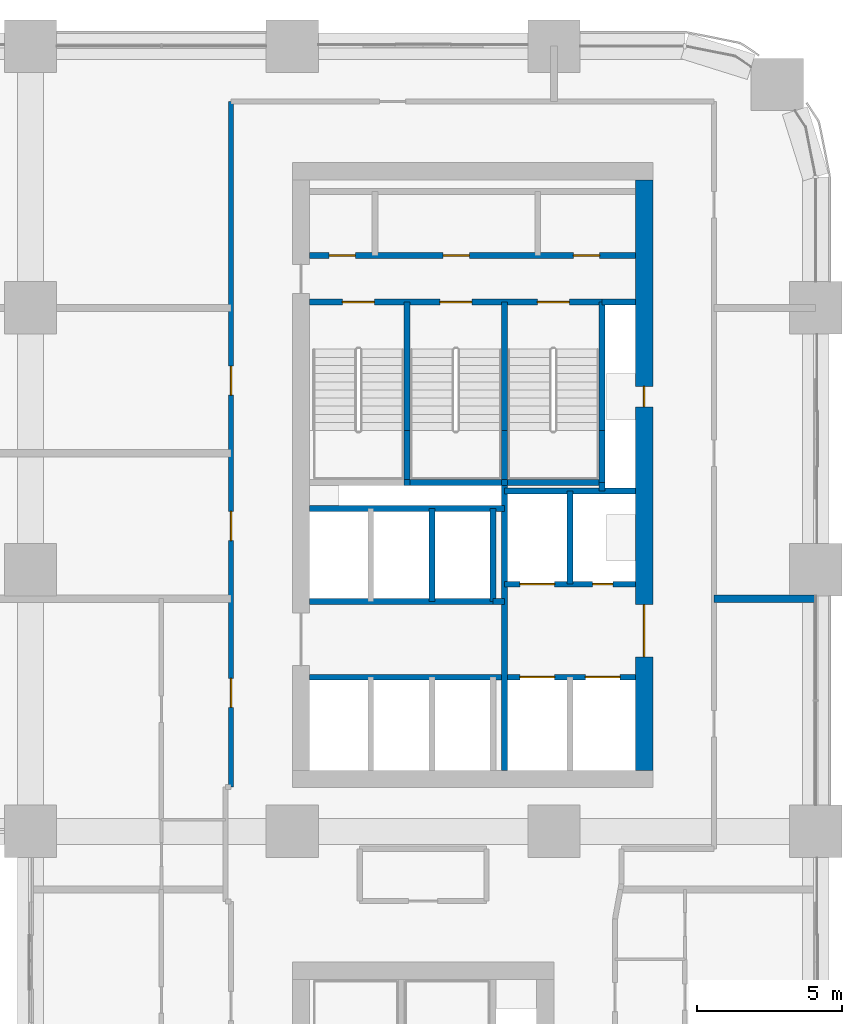
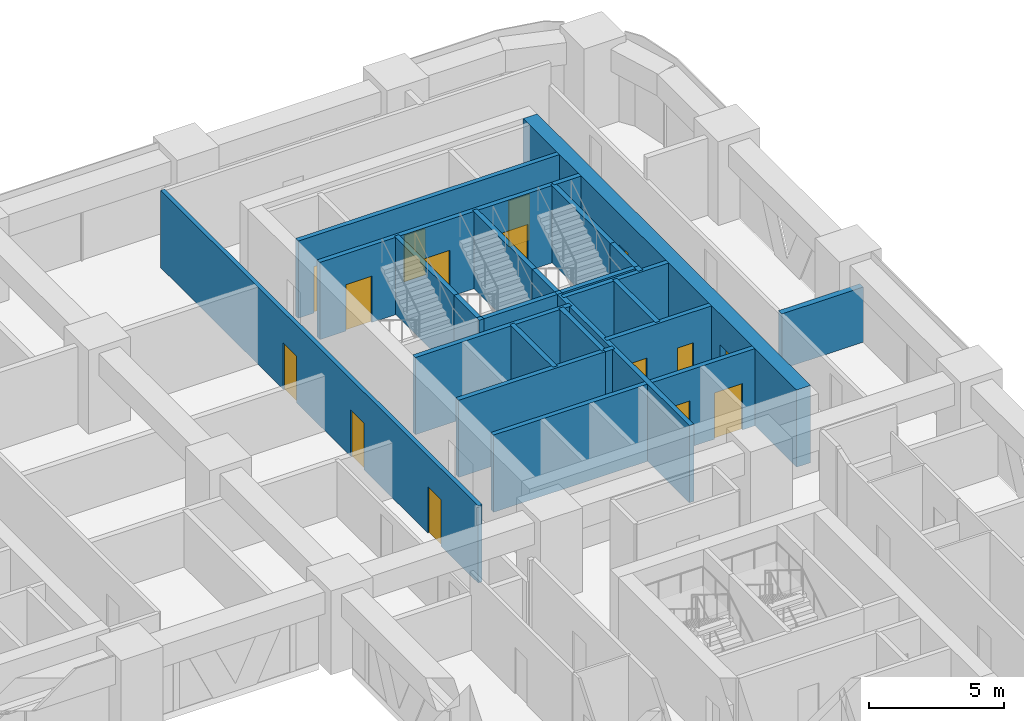
# One storey, part 16 of 19: 27 walls, 15 doors, 15 openings.
"""IFC4 building model written with IfcOpenShell, lengths in metres."""

from ifc_helpers import new_model, si_unit, direction, frame, frame_2d, origin, place, context, subcontext, project, spatial, rectangle, extrude, material, layer, layer_set, type_object, element, fill, save


model = new_model("IFC4")

# Units and contexts
model_context = context("Model", 3, precision=1e-05, world=origin(), true_north=direction((0.0, 1.0)))
body_context = subcontext(model_context, "Body", "Model", "MODEL_VIEW")
ifc_project = project(units=[si_unit("LENGTHUNIT", "METRE"), si_unit("AREAUNIT", "SQUARE_METRE"), si_unit("VOLUMEUNIT", "CUBIC_METRE"), si_unit("PLANEANGLEUNIT", "RADIAN"), si_unit("MASSUNIT", "GRAM", prefix="KILO")], contexts=[model_context])

# Site, building, storey
site_placement = place(None, origin())
site = spatial("IfcSite", under=ifc_project, at=site_placement, CompositionType="ELEMENT")
building_placement = place(site_placement, origin())
building = spatial("IfcBuilding", under=site, at=building_placement, Name="Tessera Arch", CompositionType="ELEMENT")
storey_placement = place(building_placement, frame((0.0, 0.0, 85.39990234375)))
storey = spatial("IfcBuildingStorey", under=building, at=storey_placement, Name="L19", CompositionType="ELEMENT", Elevation=85.39990234375)

# Wall
ifc_material_1 = material(Name="Gypsum board on steel stud", Category="steel")
ifc_layer_1 = layer(ifc_material_1, 0.125)
ifc_layer_set_1 = layer_set([ifc_layer_1], Name="Core partition 125 EI 60")
wall_type_1 = type_object("IfcWallType", Name="Core partition 125 EI 60", PredefinedType="PARTITIONING", material=ifc_layer_set_1)
wall_1_placement = place(storey_placement, frame((42.89990234375, 34.89990234375, 0.0), z_axis=(0.0, 0.0, 1.0), x_axis=(1.0, 0.0, 0.0)))
element("IfcWall", 1, at=wall_1_placement, inside=storey, type_object=wall_type_1, Name="L19 C1 partition wall 20", PredefinedType="PARTITIONING", context=body_context, shape_type="SweptSolid", body=[
    extrude(rectangle(XDim=0.400146484375, YDim=0.199951171875, at=frame_2d((0.2001953125, 0.0))), origin(), (0.0, 0.0, 1.0), 3.5),
])

# Wall, openings, doors
wall_2_placement = place(storey_placement, frame((36.60009765625, 46.800048828125, 0.0), z_axis=(0.0, 0.0, 1.0), x_axis=(1.0, 0.0, 0.0)))
wall_2 = element("IfcWall", 2, at=wall_2_placement, inside=storey, type_object=wall_type_1, Name="L19 C1 partition wall 32", PredefinedType="PARTITIONING", context=body_context, shape_type="SweptSolid", body=[
    extrude(rectangle(XDim=11.199951171875, YDim=0.199951171875, at=frame_2d((5.60009765625, 0.0))), origin(), (0.0, 0.0, 1.0), 3.5),
])
opening_1_placement = place(wall_2_placement, frame((0.669921875, 0.0, 0.0)))
opening_1 = element("IfcOpeningElement", 3, at=opening_1_placement, cuts=wall_2, Name="Opening L19-C12", PredefinedType="OPENING", context=body_context, shape_type="SweptSolid", body=[
    extrude(rectangle(XDim=0.89990234375, YDim=2.10009765625, at=frame_2d((0.449951171875, 1.050048828125))), frame((0.0, 0.10986328125, 0.0), z_axis=(0.0, -1.0, 0.0), x_axis=(1.0, 0.0, 0.0)), (0.0, 0.0, 1.0), 0.219970703125),
])
opening_2_placement = place(wall_2_placement, frame((4.590087890625, 0.0, 0.0)))
opening_2 = element("IfcOpeningElement", 4, at=opening_2_placement, cuts=wall_2, Name="Opening L19-C13", PredefinedType="OPENING", context=body_context, shape_type="SweptSolid", body=[
    extrude(rectangle(XDim=0.89990234375, YDim=2.10009765625, at=frame_2d((0.449951171875, 1.050048828125))), frame((0.0, 0.10986328125, 0.0), z_axis=(0.0, -1.0, 0.0), x_axis=(1.0, 0.0, 0.0)), (0.0, 0.0, 1.0), 0.219970703125),
])
opening_3_placement = place(wall_2_placement, frame((9.070068359375, 0.0, 0.0)))
opening_3 = element("IfcOpeningElement", 5, at=opening_3_placement, cuts=wall_2, Name="Opening L19-C14", PredefinedType="OPENING", context=body_context, shape_type="SweptSolid", body=[
    extrude(rectangle(XDim=0.89990234375, YDim=2.10009765625, at=frame_2d((0.449951171875, 1.050048828125))), frame((0.0, 0.10986328125, 0.0), z_axis=(0.0, -1.0, 0.0), x_axis=(1.0, 0.0, 0.0)), (0.0, 0.0, 1.0), 0.219970703125),
])
ifc_material_2 = material(Name="Steel door leaf", Category="steel")
door_type_1 = type_object("IfcDoorType", Name="Store door FD30S 900 x 2100", OperationType="SINGLE_SWING_LEFT", PredefinedType="DOOR", material=ifc_material_2)
door_1_placement = place(opening_1_placement, origin())
door_1 = element("IfcDoor", 6, at=door_1_placement, inside=storey, type_object=door_type_1, Name="L19 C1 door 12 C12 type D09", OperationType="SINGLE_SWING_LEFT", OverallHeight=2.10009765625, OverallWidth=0.89990234375, PredefinedType="DOOR", context=body_context, shape_type="SweptSolid", body=[
    extrude(rectangle(XDim=0.89990234375, YDim=2.10009765625, at=frame_2d((0.449951171875, 1.050048828125))), frame((0.0, 0.02490234375, 0.0), z_axis=(0.0, -1.0, 0.0), x_axis=(1.0, 0.0, 0.0)), (0.0, 0.0, 1.0), 0.050048828125),
])
fill(opening_1, door_1)
door_2_placement = place(opening_2_placement, origin())
door_2 = element("IfcDoor", 7, at=door_2_placement, inside=storey, type_object=door_type_1, Name="L19 C1 door 13 C13 type D09", OperationType="SINGLE_SWING_LEFT", OverallHeight=2.10009765625, OverallWidth=0.89990234375, PredefinedType="DOOR", context=body_context, shape_type="SweptSolid", body=[
    extrude(rectangle(XDim=0.89990234375, YDim=2.10009765625, at=frame_2d((0.449951171875, 1.050048828125))), frame((0.0, 0.02490234375, 0.0), z_axis=(0.0, -1.0, 0.0), x_axis=(1.0, 0.0, 0.0)), (0.0, 0.0, 1.0), 0.050048828125),
])
fill(opening_2, door_2)
door_3_placement = place(opening_3_placement, origin())
door_3 = element("IfcDoor", 8, at=door_3_placement, inside=storey, type_object=door_type_1, Name="L19 C1 door 14 C14 type D09", OperationType="SINGLE_SWING_RIGHT", OverallHeight=2.10009765625, OverallWidth=0.89990234375, PredefinedType="DOOR", context=body_context, shape_type="SweptSolid", body=[
    extrude(rectangle(XDim=0.89990234375, YDim=2.10009765625, at=frame_2d((0.449951171875, 1.050048828125))), frame((0.0, 0.02490234375, 0.0), z_axis=(0.0, -1.0, 0.0), x_axis=(1.0, 0.0, 0.0)), (0.0, 0.0, 1.0), 0.050048828125),
])
fill(opening_3, door_3)

ifc_material_3 = material(Name="Concrete C70/85", Category="concrete")
ifc_layer_2 = layer(ifc_material_3, 0.60009765625)
ifc_layer_set_2 = layer_set([ifc_layer_2], Name="Core shell wall 600 C70-85")
wall_type_2 = type_object("IfcWallType", Name="Core shell wall 600 C70-85", PredefinedType="SHEAR", material=ifc_layer_set_2)
wall_3_placement = place(storey_placement, frame((48.10009765625, 29.10009765625, 0.0), z_axis=(0.0, 0.0, 1.0), x_axis=(0.0, 1.0, 0.0)))
wall_3 = element("IfcWall", 9, at=wall_3_placement, inside=storey, type_object=wall_type_2, Name="L19 C1 core wall E", PredefinedType="SHEAR", context=body_context, shape_type="SweptSolid", body=[
    extrude(rectangle(XDim=20.2998046875, YDim=0.60009765625, at=frame_2d((10.14990234375, 0.0))), origin(), (0.0, 0.0, 1.0), 3.5),
])
opening_4_placement = place(wall_3_placement, frame((12.5, 0.0, 0.0)))
opening_4 = element("IfcOpeningElement", 10, at=opening_4_placement, cuts=wall_3, Name="Opening L19-C08", PredefinedType="OPENING", context=body_context, shape_type="SweptSolid", body=[
    extrude(rectangle(XDim=0.699951171875, YDim=2.10009765625, at=frame_2d((0.35009765625, 1.050048828125))), frame((0.0, 0.31005859375, 0.0), z_axis=(0.0, -1.0, 0.0), x_axis=(1.0, 0.0, 0.0)), (0.0, 0.0, 1.0), 0.6201171875),
])
opening_5_placement = place(wall_3_placement, frame((3.89990234375, 0.0, 0.0)))
opening_5 = element("IfcOpeningElement", 11, at=opening_5_placement, cuts=wall_3, Name="Opening L19-C09", PredefinedType="OPENING", context=body_context, shape_type="SweptSolid", body=[
    extrude(rectangle(XDim=1.800048828125, YDim=2.10009765625, at=frame_2d((0.89990234375, 1.050048828125))), frame((0.0, 0.31005859375, 0.0), z_axis=(0.0, -1.0, 0.0), x_axis=(1.0, 0.0, 0.0)), (0.0, 0.0, 1.0), 0.6201171875),
])
ifc_material_4 = material(Name="Glazed steel door leaf", Category="steel")
door_type_2 = type_object("IfcDoorType", Name="Lobby double door FD60 1800 x 2100", OperationType="DOUBLE_DOOR_SINGLE_SWING", PredefinedType="DOOR", material=ifc_material_4)
door_4_placement = place(opening_5_placement, origin())
door_4 = element("IfcDoor", 12, at=door_4_placement, inside=storey, type_object=door_type_2, Name="L19 C1 door 9 C09 type D19", OperationType="DOUBLE_DOOR_SINGLE_SWING", OverallHeight=2.10009765625, OverallWidth=1.800048828125, PredefinedType="DOOR", context=body_context, shape_type="SweptSolid", body=[
    extrude(rectangle(XDim=1.800048828125, YDim=2.10009765625, at=frame_2d((0.89990234375, 1.050048828125))), frame((0.0, 0.02490234375, 0.0), z_axis=(0.0, -1.0, 0.0), x_axis=(1.0, 0.0, 0.0)), (0.0, 0.0, 1.0), 0.050048828125),
])
fill(opening_5, door_4)
ifc_material_5 = material(Name="Steel door leaf", Category="steel")
door_type_3 = type_object("IfcDoorType", Name="Service shaft door FD60 700 x 2100", OperationType="SINGLE_SWING_LEFT", PredefinedType="DOOR", material=ifc_material_5)
door_5_placement = place(opening_4_placement, origin())
door_5 = element("IfcDoor", 13, at=door_5_placement, inside=storey, type_object=door_type_3, Name="L19 C1 door 8 C08 type D07", OperationType="SINGLE_SWING_RIGHT", OverallHeight=2.10009765625, OverallWidth=0.699951171875, PredefinedType="DOOR", context=body_context, shape_type="SweptSolid", body=[
    extrude(rectangle(XDim=0.699951171875, YDim=2.10009765625, at=frame_2d((0.35009765625, 1.050048828125))), frame((0.0, 0.02490234375, 0.0), z_axis=(0.0, -1.0, 0.0), x_axis=(1.0, 0.0, 0.0)), (0.0, 0.0, 1.0), 0.050048828125),
])
fill(opening_4, door_5)

ifc_material_6 = material(Name="Gypsum board on deep steel stud with mineral wool", Category="steel")
ifc_layer_3 = layer(ifc_material_6, 0.175048828125)
ifc_layer_set_3 = layer_set([ifc_layer_3], Name="Corridor wall 175 EI 60")
wall_type_3 = type_object("IfcWallType", Name="Corridor wall 175 EI 60", PredefinedType="PARTITIONING", material=ifc_layer_set_3)
wall_4_placement = place(storey_placement, frame((33.89990234375, 28.52001953125, 0.0), z_axis=(0.0, 0.0, 1.0), x_axis=(0.0, 1.0, 0.0)))
wall_4 = element("IfcWall", 14, at=wall_4_placement, inside=storey, type_object=wall_type_3, Name="L19 partition 15", PredefinedType="PARTITIONING", context=body_context, shape_type="SweptSolid", body=[
    extrude(rectangle(XDim=23.580078125, YDim=0.175048828125, at=frame_2d((11.7900390625, 0.0))), origin(), (0.0, 0.0, 1.0), 3.5),
])
opening_6_placement = place(wall_4_placement, frame((2.739990234375, 0.0, 0.0)))
opening_6 = element("IfcOpeningElement", 15, at=opening_6_placement, cuts=wall_4, Name="Opening L19-D024", PredefinedType="OPENING", context=body_context, shape_type="SweptSolid", body=[
    extrude(rectangle(XDim=1.0, YDim=2.10009765625, at=frame_2d((0.5, 1.050048828125))), frame((0.0, 0.097412109375, 0.0), z_axis=(0.0, -1.0, 0.0), x_axis=(1.0, 0.0, 0.0)), (0.0, 0.0, 1.0), 0.195068359375),
])
opening_7_placement = place(wall_4_placement, frame((8.47998046875, 0.0, 0.0)))
opening_7 = element("IfcOpeningElement", 16, at=opening_7_placement, cuts=wall_4, Name="Opening L19-D029", PredefinedType="OPENING", context=body_context, shape_type="SweptSolid", body=[
    extrude(rectangle(XDim=1.0, YDim=2.10009765625, at=frame_2d((0.5, 1.050048828125))), frame((0.0, 0.097412109375, 0.0), z_axis=(0.0, -1.0, 0.0), x_axis=(1.0, 0.0, 0.0)), (0.0, 0.0, 1.0), 0.195068359375),
])
opening_8_placement = place(wall_4_placement, frame((13.47998046875, 0.0, 0.0)))
opening_8 = element("IfcOpeningElement", 17, at=opening_8_placement, cuts=wall_4, Name="Opening L19-D032", PredefinedType="OPENING", context=body_context, shape_type="SweptSolid", body=[
    extrude(rectangle(XDim=1.0, YDim=2.10009765625, at=frame_2d((0.5, 1.050048828125))), frame((0.0, 0.097412109375, 0.0), z_axis=(0.0, -1.0, 0.0), x_axis=(1.0, 0.0, 0.0)), (0.0, 0.0, 1.0), 0.195068359375),
])
ifc_material_7 = material(Name="Fire-rated door leaf")
door_type_4 = type_object("IfcDoorType", Name="Entrance door FD30S 1000 x 2100", OperationType="SINGLE_SWING_LEFT", PredefinedType="DOOR", material=ifc_material_7)
door_6_placement = place(opening_6_placement, origin())
door_6 = element("IfcDoor", 18, at=door_6_placement, inside=storey, type_object=door_type_4, Name="L19 door D024 type D03", OperationType="SINGLE_SWING_RIGHT", OverallHeight=2.10009765625, OverallWidth=1.0, PredefinedType="DOOR", context=body_context, shape_type="SweptSolid", body=[
    extrude(rectangle(XDim=1.0, YDim=2.10009765625, at=frame_2d((0.5, 1.050048828125))), frame((0.0, 0.02490234375, 0.0), z_axis=(0.0, -1.0, 0.0), x_axis=(1.0, 0.0, 0.0)), (0.0, 0.0, 1.0), 0.050048828125),
])
fill(opening_6, door_6)
door_7_placement = place(opening_7_placement, origin())
door_7 = element("IfcDoor", 19, at=door_7_placement, inside=storey, type_object=door_type_4, Name="L19 door D029 type D03", OperationType="SINGLE_SWING_LEFT", OverallHeight=2.10009765625, OverallWidth=1.0, PredefinedType="DOOR", context=body_context, shape_type="SweptSolid", body=[
    extrude(rectangle(XDim=1.0, YDim=2.10009765625, at=frame_2d((0.5, 1.050048828125))), frame((0.0, 0.02490234375, 0.0), z_axis=(0.0, -1.0, 0.0), x_axis=(1.0, 0.0, 0.0)), (0.0, 0.0, 1.0), 0.050048828125),
])
fill(opening_7, door_7)
door_8_placement = place(opening_8_placement, origin())
door_8 = element("IfcDoor", 20, at=door_8_placement, inside=storey, type_object=door_type_4, Name="L19 door D032 type D03", OperationType="SINGLE_SWING_RIGHT", OverallHeight=2.10009765625, OverallWidth=1.0, PredefinedType="DOOR", context=body_context, shape_type="SweptSolid", body=[
    extrude(rectangle(XDim=1.0, YDim=2.10009765625, at=frame_2d((0.5, 1.050048828125))), frame((0.0, 0.02490234375, 0.0), z_axis=(0.0, -1.0, 0.0), x_axis=(1.0, 0.0, 0.0)), (0.0, 0.0, 1.0), 0.050048828125),
])
fill(opening_8, door_8)

# Walls
ifc_material_8 = material(Name="Double gypsum board on twin steel stud with acoustic mineral wool", Category="steel")
ifc_layer_4 = layer(ifc_material_8, 0.25)
ifc_layer_set_4 = layer_set([ifc_layer_4], Name="Party wall 250 EI 60")
wall_type_4 = type_object("IfcWallType", Name="Party wall 250 EI 60", PredefinedType="PARTITIONING", material=ifc_layer_set_4)
wall_5_placement = place(storey_placement, frame((50.5, 35.0, 0.0), z_axis=(0.0, 0.0, 1.0), x_axis=(1.0, 0.0, 0.0)))
element("IfcWall", 21, at=wall_5_placement, inside=storey, type_object=wall_type_4, Name="L19 partition 35", PredefinedType="PARTITIONING", context=body_context, shape_type="SweptSolid", body=[
    extrude(rectangle(XDim=3.5, YDim=0.25, at=frame_2d((1.75, 0.0))), origin(), (0.0, 0.0, 1.0), 2.5),
])
ifc_material_9 = material(Name="Concrete C40/50", Category="concrete")
ifc_layer_5 = layer(ifc_material_9, 0.199951171875)
ifc_layer_set_5 = layer_set([ifc_layer_5], Name="Shaft wall 200 EI 120")
wall_type_5 = type_object("IfcWallType", Name="Shaft wall 200 EI 120", PredefinedType="SOLIDWALL", material=ifc_layer_set_5)
for number, where, z_axis, x_axis, name in (
    (22, (40.800048828125, 34.89990234375, 0.0), (0.0, 0.0, 1.0), (0.0, 1.0, 0.0), "L19 C1 shaft wall 7"),
    (23, (42.89990234375, 34.89990234375, 0.0), (0.0, 0.0, 1.0), (0.0, 1.0, 0.0), "L19 C1 shaft wall 9"),
):
    element("IfcWall", number, at=place(storey_placement, frame(where, z_axis=z_axis, x_axis=x_axis)), inside=storey, type_object=wall_type_5, Name=name, PredefinedType="SOLIDWALL", context=body_context, shape_type="SweptSolid", body=[
        extrude(rectangle(XDim=3.2001953125, YDim=0.199951171875, at=frame_2d((1.60009765625, 0.0))), origin(), (0.0, 0.0, 1.0), 3.5),
    ])
wall_6_placement = place(storey_placement, frame((43.300048828125, 29.10009765625, 0.0), z_axis=(0.0, 0.0, 1.0), x_axis=(0.0, 1.0, 0.0)))
element("IfcWall", 24, at=wall_6_placement, inside=storey, type_object=wall_type_5, Name="L19 C1 shaft wall 10", PredefinedType="SOLIDWALL", context=body_context, shape_type="SweptSolid", body=[
    extrude(rectangle(XDim=9.89990234375, YDim=0.199951171875, at=frame_2d((4.949951171875, 0.0))), origin(), (0.0, 0.0, 1.0), 3.5),
])
wall_7_placement = place(storey_placement, frame((45.550048828125, 35.5, 0.0), z_axis=(0.0, 0.0, 1.0), x_axis=(0.0, 1.0, 0.0)))
element("IfcWall", 25, at=wall_7_placement, inside=storey, type_object=wall_type_5, Name="L19 C1 shaft wall 15", PredefinedType="SOLIDWALL", context=body_context, shape_type="SweptSolid", body=[
    extrude(rectangle(XDim=3.199951171875, YDim=0.199951171875, at=frame_2d((1.60009765625, 0.0))), origin(), (0.0, 0.0, 1.0), 3.5),
])
wall_8_placement = place(storey_placement, frame((46.64990234375, 38.699951171875, 0.0), z_axis=(0.0, 0.0, 1.0), x_axis=(0.0, 1.0, 0.0)))
element("IfcWall", 26, at=wall_8_placement, inside=storey, type_object=wall_type_5, Name="L19 C1 shaft wall 16", PredefinedType="SOLIDWALL", context=body_context, shape_type="SweptSolid", body=[
    extrude(rectangle(XDim=0.300048828125, YDim=0.199951171875, at=frame_2d((0.14990234375, 0.0))), origin(), (0.0, 0.0, 1.0), 3.5),
])

# Wall, openings, doors
wall_9_placement = place(storey_placement, frame((36.60009765625, 32.300048828125, 0.0), z_axis=(0.0, 0.0, 1.0), x_axis=(1.0, 0.0, 0.0)))
wall_9 = element("IfcWall", 27, at=wall_9_placement, inside=storey, type_object=wall_type_5, Name="L19 C1 shaft wall 19", PredefinedType="SOLIDWALL", context=body_context, shape_type="SweptSolid", body=[
    extrude(rectangle(XDim=11.199951171875, YDim=0.199951171875, at=frame_2d((5.60009765625, 0.0))), origin(), (0.0, 0.0, 1.0), 3.5),
])
opening_9_placement = place(wall_9_placement, frame((7.22509765625, 0.0, 0.0)))
opening_9 = element("IfcOpeningElement", 28, at=opening_9_placement, cuts=wall_9, Name="Opening L19-C01", PredefinedType="OPENING", context=body_context, shape_type="SweptSolid", body=[
    extrude(rectangle(XDim=1.199951171875, YDim=2.10009765625, at=frame_2d((0.60009765625, 1.050048828125))), frame((0.0, 0.10986328125, 0.0), z_axis=(0.0, -1.0, 0.0), x_axis=(1.0, 0.0, 0.0)), (0.0, 0.0, 1.0), 0.219970703125),
])
opening_10_placement = place(wall_9_placement, frame((9.47509765625, 0.0, 0.0)))
opening_10 = element("IfcOpeningElement", 29, at=opening_10_placement, cuts=wall_9, Name="Opening L19-C02", PredefinedType="OPENING", context=body_context, shape_type="SweptSolid", body=[
    extrude(rectangle(XDim=1.199951171875, YDim=2.10009765625, at=frame_2d((0.60009765625, 1.050048828125))), frame((0.0, 0.10986328125, 0.0), z_axis=(0.0, -1.0, 0.0), x_axis=(1.0, 0.0, 0.0)), (0.0, 0.0, 1.0), 0.219970703125),
])
ifc_material_10 = material(Name="Stainless steel AISI 304", Category="steel")
door_type_5 = type_object("IfcDoorType", Name="Sliding landing door 1200 x 2100", OperationType="SLIDING_TO_LEFT", PredefinedType="DOOR", material=ifc_material_10)
door_9_placement = place(opening_9_placement, origin())
door_9 = element("IfcDoor", 30, at=door_9_placement, inside=storey, type_object=door_type_5, Name="L19 FF1 lift landing door C01 type LD", OperationType="SLIDING_TO_LEFT", OverallHeight=2.10009765625, OverallWidth=1.199951171875, PredefinedType="DOOR", context=body_context, shape_type="SweptSolid", body=[
    extrude(rectangle(XDim=1.199951171875, YDim=2.10009765625, at=frame_2d((0.60009765625, 1.050048828125))), frame((0.0, 0.02490234375, 0.0), z_axis=(0.0, -1.0, 0.0), x_axis=(1.0, 0.0, 0.0)), (0.0, 0.0, 1.0), 0.050048828125),
])
fill(opening_9, door_9)
door_10_placement = place(opening_10_placement, origin())
door_10 = element("IfcDoor", 31, at=door_10_placement, inside=storey, type_object=door_type_5, Name="L19 FF2 lift landing door C02 type LD", OperationType="SLIDING_TO_LEFT", OverallHeight=2.10009765625, OverallWidth=1.199951171875, PredefinedType="DOOR", context=body_context, shape_type="SweptSolid", body=[
    extrude(rectangle(XDim=1.199951171875, YDim=2.10009765625, at=frame_2d((0.60009765625, 1.050048828125))), frame((0.0, 0.02490234375, 0.0), z_axis=(0.0, -1.0, 0.0), x_axis=(1.0, 0.0, 0.0)), (0.0, 0.0, 1.0), 0.050048828125),
])
fill(opening_10, door_10)

# Wall
wall_10_placement = place(storey_placement, frame((36.60009765625, 34.89990234375, 0.0), z_axis=(0.0, 0.0, 1.0), x_axis=(1.0, 0.0, 0.0)))
element("IfcWall", 32, at=wall_10_placement, inside=storey, type_object=wall_type_5, Name="L19 C1 shaft wall 21", PredefinedType="SOLIDWALL", context=body_context, shape_type="SweptSolid", body=[
    extrude(rectangle(XDim=6.2998046875, YDim=0.199951171875, at=frame_2d((3.14990234375, 0.0))), origin(), (0.0, 0.0, 1.0), 3.5),
])

# Wall, openings, doors
wall_11_placement = place(storey_placement, frame((43.300048828125, 35.5, 0.0), z_axis=(0.0, 0.0, 1.0), x_axis=(1.0, 0.0, 0.0)))
wall_11 = element("IfcWall", 33, at=wall_11_placement, inside=storey, type_object=wall_type_5, Name="L19 C1 shaft wall 22", PredefinedType="SOLIDWALL", context=body_context, shape_type="SweptSolid", body=[
    extrude(rectangle(XDim=4.5, YDim=0.199951171875, at=frame_2d((2.25, 0.0))), origin(), (0.0, 0.0, 1.0), 3.5),
])
opening_11_placement = place(wall_11_placement, frame((0.52490234375, 0.0, 0.0)))
opening_11 = element("IfcOpeningElement", 34, at=opening_11_placement, cuts=wall_11, Name="Opening L19-C03", PredefinedType="OPENING", context=body_context, shape_type="SweptSolid", body=[
    extrude(rectangle(XDim=1.199951171875, YDim=2.10009765625, at=frame_2d((0.60009765625, 1.050048828125))), frame((0.0, 0.10986328125, 0.0), z_axis=(0.0, -1.0, 0.0), x_axis=(1.0, 0.0, 0.0)), (0.0, 0.0, 1.0), 0.219970703125),
])
opening_12_placement = place(wall_11_placement, frame((3.02490234375, 0.0, 0.0)))
opening_12 = element("IfcOpeningElement", 35, at=opening_12_placement, cuts=wall_11, Name="Opening L19-C10", PredefinedType="OPENING", context=body_context, shape_type="SweptSolid", body=[
    extrude(rectangle(XDim=0.699951171875, YDim=2.10009765625, at=frame_2d((0.35009765625, 1.050048828125))), frame((0.0, 0.10986328125, 0.0), z_axis=(0.0, -1.0, 0.0), x_axis=(1.0, 0.0, 0.0)), (0.0, 0.0, 1.0), 0.219970703125),
])
door_11_placement = place(opening_12_placement, origin())
door_11 = element("IfcDoor", 36, at=door_11_placement, inside=storey, type_object=door_type_3, Name="L19 C1 door 10 C10 type D07", OperationType="SINGLE_SWING_RIGHT", OverallHeight=2.10009765625, OverallWidth=0.699951171875, PredefinedType="DOOR", context=body_context, shape_type="SweptSolid", body=[
    extrude(rectangle(XDim=0.699951171875, YDim=2.10009765625, at=frame_2d((0.35009765625, 1.050048828125))), frame((0.0, 0.02490234375, 0.0), z_axis=(0.0, -1.0, 0.0), x_axis=(1.0, 0.0, 0.0)), (0.0, 0.0, 1.0), 0.050048828125),
])
fill(opening_12, door_11)
door_12_placement = place(opening_11_placement, origin())
door_12 = element("IfcDoor", 37, at=door_12_placement, inside=storey, type_object=door_type_5, Name="L19 SV2 lift landing door C03 type LD", OperationType="SLIDING_TO_LEFT", OverallHeight=2.10009765625, OverallWidth=1.199951171875, PredefinedType="DOOR", context=body_context, shape_type="SweptSolid", body=[
    extrude(rectangle(XDim=1.199951171875, YDim=2.10009765625, at=frame_2d((0.60009765625, 1.050048828125))), frame((0.0, 0.02490234375, 0.0), z_axis=(0.0, -1.0, 0.0), x_axis=(1.0, 0.0, 0.0)), (0.0, 0.0, 1.0), 0.050048828125),
])
fill(opening_11, door_12)

# Walls
wall_12_placement = place(storey_placement, frame((36.60009765625, 38.10009765625, 0.0), z_axis=(0.0, 0.0, 1.0), x_axis=(1.0, 0.0, 0.0)))
element("IfcWall", 38, at=wall_12_placement, inside=storey, type_object=wall_type_5, Name="L19 C1 shaft wall 23", PredefinedType="SOLIDWALL", context=body_context, shape_type="SweptSolid", body=[
    extrude(rectangle(XDim=6.699951171875, YDim=0.199951171875, at=frame_2d((3.35009765625, 0.0))), origin(), (0.0, 0.0, 1.0), 3.5),
])
wall_13_placement = place(storey_placement, frame((43.300048828125, 38.699951171875, 0.0), z_axis=(0.0, 0.0, 1.0), x_axis=(1.0, 0.0, 0.0)))
element("IfcWall", 39, at=wall_13_placement, inside=storey, type_object=wall_type_5, Name="L19 C1 shaft wall 24", PredefinedType="SOLIDWALL", context=body_context, shape_type="SweptSolid", body=[
    extrude(rectangle(XDim=4.5, YDim=0.199951171875, at=frame_2d((2.25, 0.0))), origin(), (0.0, 0.0, 1.0), 3.5),
])
wall_14_placement = place(storey_placement, frame((46.64990234375, 45.199951171875, 0.0), z_axis=(0.0, 0.0, 1.0), x_axis=(1.0, 0.0, 0.0)))
element("IfcWall", 40, at=wall_14_placement, inside=storey, type_object=wall_type_5, Name="L19 C1 shaft wall 30", PredefinedType="SOLIDWALL", context=body_context, shape_type="SweptSolid", body=[
    extrude(rectangle(XDim=1.150146484375, YDim=0.199951171875, at=frame_2d((0.5751953125, 0.0))), origin(), (0.0, 0.0, 1.0), 3.5),
])
ifc_material_11 = material(Name="Concrete C40/50", Category="concrete")
ifc_layer_6 = layer(ifc_material_11, 0.199951171875)
ifc_layer_set_6 = layer_set([ifc_layer_6], Name="Stair well wall 200 REI 180")
wall_type_6 = type_object("IfcWallType", Name="Stair well wall 200 REI 180", PredefinedType="SOLIDWALL", material=ifc_layer_set_6)
wall_15_placement = place(storey_placement, frame((39.949951171875, 39.0, 0.0), z_axis=(0.0, 0.0, 1.0), x_axis=(0.0, 1.0, 0.0)))
element("IfcWall", 41, at=wall_15_placement, inside=storey, type_object=wall_type_6, Name="L19 C1 shaft wall 4", PredefinedType="SOLIDWALL", context=body_context, shape_type="SweptSolid", body=[
    extrude(rectangle(XDim=1.780029296875, YDim=0.199951171875, at=frame_2d((0.89013671875, 0.0))), origin(), (0.0, 0.0, 1.0), 3.5),
])
wall_16_placement = place(storey_placement, frame((39.949951171875, 40.780029296875, 0.0), z_axis=(0.0, 0.0, 1.0), x_axis=(0.0, 1.0, 0.0)))
element("IfcWall", 42, at=wall_16_placement, inside=storey, type_object=wall_type_6, Name="L19 C1 shaft wall 5", PredefinedType="SOLIDWALL", context=body_context, shape_type="SweptSolid", body=[
    extrude(rectangle(XDim=4.419921875, YDim=0.199951171875, at=frame_2d((2.2099609375, 0.0))), origin(), (0.0, 0.0, 1.0), 3.5),
])
wall_17_placement = place(storey_placement, frame((43.300048828125, 39.0, 0.0), z_axis=(0.0, 0.0, 1.0), x_axis=(0.0, 1.0, 0.0)))
element("IfcWall", 43, at=wall_17_placement, inside=storey, type_object=wall_type_6, Name="L19 C1 shaft wall 11", PredefinedType="SOLIDWALL", context=body_context, shape_type="SweptSolid", body=[
    extrude(rectangle(XDim=1.780029296875, YDim=0.199951171875, at=frame_2d((0.89013671875, 0.0))), origin(), (0.0, 0.0, 1.0), 3.5),
])
wall_18_placement = place(storey_placement, frame((43.300048828125, 40.780029296875, 0.0), z_axis=(0.0, 0.0, 1.0), x_axis=(0.0, 1.0, 0.0)))
element("IfcWall", 44, at=wall_18_placement, inside=storey, type_object=wall_type_6, Name="L19 C1 shaft wall 12", PredefinedType="SOLIDWALL", context=body_context, shape_type="SweptSolid", body=[
    extrude(rectangle(XDim=4.419921875, YDim=0.199951171875, at=frame_2d((2.2099609375, 0.0))), origin(), (0.0, 0.0, 1.0), 3.5),
])
wall_19_placement = place(storey_placement, frame((46.64990234375, 39.0, 0.0), z_axis=(0.0, 0.0, 1.0), x_axis=(0.0, 1.0, 0.0)))
element("IfcWall", 45, at=wall_19_placement, inside=storey, type_object=wall_type_6, Name="L19 C1 shaft wall 17", PredefinedType="SOLIDWALL", context=body_context, shape_type="SweptSolid", body=[
    extrude(rectangle(XDim=1.780029296875, YDim=0.199951171875, at=frame_2d((0.89013671875, 0.0))), origin(), (0.0, 0.0, 1.0), 3.5),
])
wall_20_placement = place(storey_placement, frame((46.64990234375, 40.780029296875, 0.0), z_axis=(0.0, 0.0, 1.0), x_axis=(0.0, 1.0, 0.0)))
element("IfcWall", 46, at=wall_20_placement, inside=storey, type_object=wall_type_6, Name="L19 C1 shaft wall 18", PredefinedType="SOLIDWALL", context=body_context, shape_type="SweptSolid", body=[
    extrude(rectangle(XDim=4.419921875, YDim=0.199951171875, at=frame_2d((2.2099609375, 0.0))), origin(), (0.0, 0.0, 1.0), 3.5),
])
wall_21_placement = place(storey_placement, frame((39.85009765625, 39.0, 0.0), z_axis=(0.0, 0.0, 1.0), x_axis=(1.0, 0.0, 0.0)))
element("IfcWall", 47, at=wall_21_placement, inside=storey, type_object=wall_type_6, Name="L19 C1 shaft wall 26", PredefinedType="SOLIDWALL", context=body_context, shape_type="SweptSolid", body=[
    extrude(rectangle(XDim=0.199951171875, YDim=0.199951171875, at=frame_2d((0.10009765625, 0.0))), origin(), (0.0, 0.0, 1.0), 3.5),
])
wall_22_placement = place(storey_placement, frame((40.050048828125, 39.0, 0.0), z_axis=(0.0, 0.0, 1.0), x_axis=(1.0, 0.0, 0.0)))
element("IfcWall", 48, at=wall_22_placement, inside=storey, type_object=wall_type_6, Name="L19 C1 shaft wall 27", PredefinedType="SOLIDWALL", context=body_context, shape_type="SweptSolid", body=[
    extrude(rectangle(XDim=3.14990234375, YDim=0.199951171875, at=frame_2d((1.574951171875, 0.0))), origin(), (0.0, 0.0, 1.0), 3.5),
])
wall_23_placement = place(storey_placement, frame((43.199951171875, 39.0, 0.0), z_axis=(0.0, 0.0, 1.0), x_axis=(1.0, 0.0, 0.0)))
element("IfcWall", 49, at=wall_23_placement, inside=storey, type_object=wall_type_6, Name="L19 C1 shaft wall 28", PredefinedType="SOLIDWALL", context=body_context, shape_type="SweptSolid", body=[
    extrude(rectangle(XDim=0.199951171875, YDim=0.199951171875, at=frame_2d((0.10009765625, 0.0))), origin(), (0.0, 0.0, 1.0), 3.5),
])
wall_24_placement = place(storey_placement, frame((43.39990234375, 39.0, 0.0), z_axis=(0.0, 0.0, 1.0), x_axis=(1.0, 0.0, 0.0)))
element("IfcWall", 50, at=wall_24_placement, inside=storey, type_object=wall_type_6, Name="L19 C1 shaft wall 29", PredefinedType="SOLIDWALL", context=body_context, shape_type="SweptSolid", body=[
    extrude(rectangle(XDim=3.25, YDim=0.199951171875, at=frame_2d((1.625, 0.0))), origin(), (0.0, 0.0, 1.0), 3.5),
])

# Wall, openings, doors
wall_25_placement = place(storey_placement, frame((36.60009765625, 45.199951171875, 0.0), z_axis=(0.0, 0.0, 1.0), x_axis=(1.0, 0.0, 0.0)))
wall_25 = element("IfcWall", 51, at=wall_25_placement, inside=storey, type_object=wall_type_6, Name="L19 C1 shaft wall 31", PredefinedType="SOLIDWALL", context=body_context, shape_type="SweptSolid", body=[
    extrude(rectangle(XDim=10.0498046875, YDim=0.199951171875, at=frame_2d((5.02490234375, 0.0))), origin(), (0.0, 0.0, 1.0), 3.5),
])
opening_13_placement = place(wall_25_placement, frame((1.125, 0.0, 0.0)))
opening_13 = element("IfcOpeningElement", 52, at=opening_13_placement, cuts=wall_25, Name="Opening L19-C05", PredefinedType="OPENING", context=body_context, shape_type="SweptSolid", body=[
    extrude(rectangle(XDim=1.10009765625, YDim=2.10009765625, at=frame_2d((0.550048828125, 1.050048828125))), frame((0.0, 0.10986328125, 0.0), z_axis=(0.0, -1.0, 0.0), x_axis=(1.0, 0.0, 0.0)), (0.0, 0.0, 1.0), 0.219970703125),
])
opening_14_placement = place(wall_25_placement, frame((4.47509765625, 0.0, 0.0)))
opening_14 = element("IfcOpeningElement", 53, at=opening_14_placement, cuts=wall_25, Name="Opening L19-C06", PredefinedType="OPENING", context=body_context, shape_type="SweptSolid", body=[
    extrude(rectangle(XDim=1.10009765625, YDim=2.10009765625, at=frame_2d((0.550048828125, 1.050048828125))), frame((0.0, 0.10986328125, 0.0), z_axis=(0.0, -1.0, 0.0), x_axis=(1.0, 0.0, 0.0)), (0.0, 0.0, 1.0), 0.219970703125),
])
opening_15_placement = place(wall_25_placement, frame((7.824951171875, 0.0, 0.0)))
opening_15 = element("IfcOpeningElement", 54, at=opening_15_placement, cuts=wall_25, Name="Opening L19-C07", PredefinedType="OPENING", context=body_context, shape_type="SweptSolid", body=[
    extrude(rectangle(XDim=1.10009765625, YDim=2.10009765625, at=frame_2d((0.550048828125, 1.050048828125))), frame((0.0, 0.10986328125, 0.0), z_axis=(0.0, -1.0, 0.0), x_axis=(1.0, 0.0, 0.0)), (0.0, 0.0, 1.0), 0.219970703125),
])
ifc_material_12 = material(Name="Steel door leaf", Category="steel")
door_type_6 = type_object("IfcDoorType", Name="Stair door FD60 1100 x 2100", OperationType="SINGLE_SWING_LEFT", PredefinedType="DOOR", material=ifc_material_12)
door_13_placement = place(opening_13_placement, origin())
door_13 = element("IfcDoor", 55, at=door_13_placement, inside=storey, type_object=door_type_6, Name="L19 C1 door 5 C05 type D05", OperationType="SINGLE_SWING_LEFT", OverallHeight=2.10009765625, OverallWidth=1.10009765625, PredefinedType="DOOR", context=body_context, shape_type="SweptSolid", body=[
    extrude(rectangle(XDim=1.10009765625, YDim=2.10009765625, at=frame_2d((0.550048828125, 1.050048828125))), frame((0.0, 0.02490234375, 0.0), z_axis=(0.0, -1.0, 0.0), x_axis=(1.0, 0.0, 0.0)), (0.0, 0.0, 1.0), 0.050048828125),
])
fill(opening_13, door_13)
door_14_placement = place(opening_14_placement, origin())
door_14 = element("IfcDoor", 56, at=door_14_placement, inside=storey, type_object=door_type_6, Name="L19 C1 door 6 C06 type D05", OperationType="SINGLE_SWING_RIGHT", OverallHeight=2.10009765625, OverallWidth=1.10009765625, PredefinedType="DOOR", context=body_context, shape_type="SweptSolid", body=[
    extrude(rectangle(XDim=1.10009765625, YDim=2.10009765625, at=frame_2d((0.550048828125, 1.050048828125))), frame((0.0, 0.02490234375, 0.0), z_axis=(0.0, -1.0, 0.0), x_axis=(1.0, 0.0, 0.0)), (0.0, 0.0, 1.0), 0.050048828125),
])
fill(opening_14, door_14)
door_15_placement = place(opening_15_placement, origin())
door_15 = element("IfcDoor", 57, at=door_15_placement, inside=storey, type_object=door_type_6, Name="L19 C1 door 7 C07 type D05", OperationType="SINGLE_SWING_RIGHT", OverallHeight=2.10009765625, OverallWidth=1.10009765625, PredefinedType="DOOR", context=body_context, shape_type="SweptSolid", body=[
    extrude(rectangle(XDim=1.10009765625, YDim=2.10009765625, at=frame_2d((0.550048828125, 1.050048828125))), frame((0.0, 0.02490234375, 0.0), z_axis=(0.0, -1.0, 0.0), x_axis=(1.0, 0.0, 0.0)), (0.0, 0.0, 1.0), 0.050048828125),
])
fill(opening_15, door_15)

save(model, "model.ifc")
